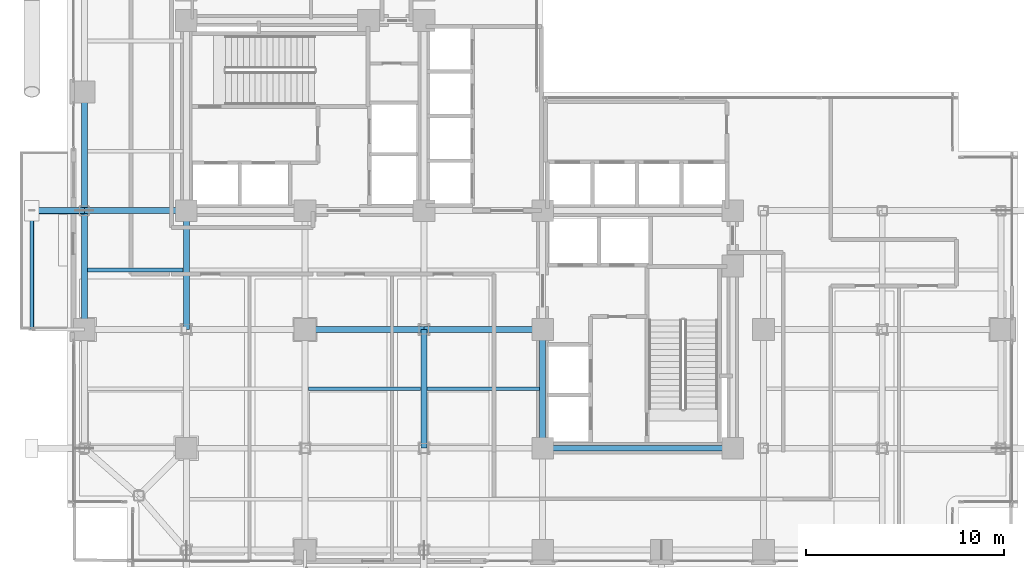
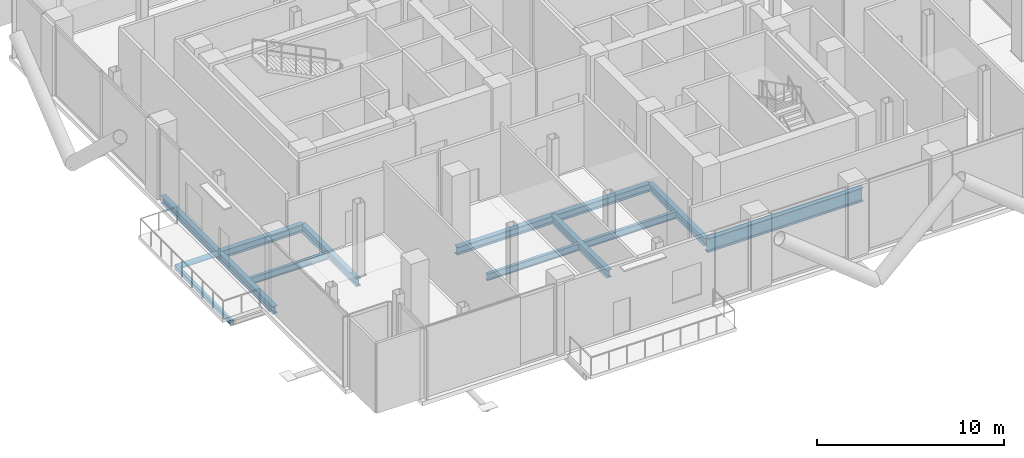
# One storey, part 4 of 25: 13 beams, 1 member.
"""IFC4 building model written with IfcOpenShell, lengths in metres."""

from ifc_helpers import new_model, si_unit, direction, frame, origin, origin_2d, place, context, subcontext, project, spatial, hollow_rectangle, hollow_circle, i_section, extrude, material, material_profile, profile_set, type_object, element, save


model = new_model("IFC4")

# Units and contexts
model_context = context("Model", 3, precision=1e-05, world=origin(), true_north=direction((0.0, 1.0)))
body_context = subcontext(model_context, "Body", "Model", "MODEL_VIEW")
ifc_project = project(units=[si_unit("LENGTHUNIT", "METRE"), si_unit("AREAUNIT", "SQUARE_METRE"), si_unit("VOLUMEUNIT", "CUBIC_METRE"), si_unit("PLANEANGLEUNIT", "RADIAN"), si_unit("MASSUNIT", "GRAM", prefix="KILO"), si_unit("THERMODYNAMICTEMPERATUREUNIT", "KELVIN"), si_unit("POWERUNIT", "WATT")], contexts=[model_context])

# Site, building, storey
site_placement = place(None, origin())
site = spatial("IfcSite", under=ifc_project, at=site_placement, CompositionType="ELEMENT")
building_placement = place(site_placement, origin())
building = spatial("IfcBuilding", under=site, at=building_placement, Name="Svarakhadi Broadcast Tower", CompositionType="ELEMENT")
storey_placement = place(building_placement, frame((0.0, 0.0, 110.85009765625)))
storey = spatial("IfcBuildingStorey", under=building, at=storey_placement, Name="L26", CompositionType="ELEMENT", Elevation=110.85009765625)

# Beams
ifc_material_1 = material(Name="Steel S355J2 (IS 2062 E350C)", Category="steel")
ifc_material_profile_1 = material_profile(ifc_material_1, i_section(OverallWidth=0.18994140625, OverallDepth=0.449951171875, WebThickness=0.009521484375, FlangeThickness=0.0146484375, FilletRadius=0.02099609375, at=origin_2d()), Name="NPB 450x190x78")
ifc_profile_set_1 = profile_set([ifc_material_profile_1], Name="Steel S355J2 (IS 2062 E350C)")
beam_type_1 = type_object("IfcBeamType", Name="Beam_NPB450", PredefinedType="BEAM", material=ifc_profile_set_1)
beam_1_placement = place(storey_placement, frame((1.010009765625, 15.0, -0.5), z_axis=(1.0, 0.0, 0.0), x_axis=(0.0, 1.0, 0.0)))
element("IfcBeam", 1, at=beam_1_placement, inside=storey, type_object=beam_type_1, Name="L26 Secondary Composite Beam SB002", PredefinedType="BEAM", context=body_context, shape_type="SweptSolid", body=[
    extrude(i_section(OverallWidth=0.18994140625, OverallDepth=0.449951171875, WebThickness=0.009521484375, FlangeThickness=0.0146484375, FilletRadius=0.02099609375, at=origin_2d()), origin(), (0.0, 0.0, 1.0), 4.830078125),
])
for number, where, z_axis, x_axis, name in (
    (2, (12.159912109375, 9.0, -0.5), (1.0, 0.0, 0.0), (0.0, 1.0, 0.0), "L26 Secondary Composite Beam SB012"),
    (3, (18.159912109375, 9.0, -0.5), (1.0, 0.0, 0.0), (0.0, 1.0, 0.0), "L26 Secondary Composite Beam SB017"),
):
    element("IfcBeam", number, at=place(storey_placement, frame(where, z_axis=z_axis, x_axis=x_axis)), inside=storey, type_object=beam_type_1, Name=name, PredefinedType="BEAM", context=body_context, shape_type="SweptSolid", body=[
        extrude(i_section(OverallWidth=0.18994140625, OverallDepth=0.449951171875, WebThickness=0.009521484375, FlangeThickness=0.0146484375, FilletRadius=0.02099609375, at=origin_2d()), origin(), (0.0, 0.0, 1.0), 5.68017578125),
    ])

# Member
ifc_material_2 = material(Name="Steel S460ML (IS 2062 E450BR)", Category="steel")
ifc_material_profile_2 = material_profile(ifc_material_2, hollow_circle(Radius=0.161865234375, WallThickness=0.01611328125, at=origin_2d()), Name="CHS 323.9x16")
ifc_profile_set_2 = profile_set([ifc_material_profile_2], Name="Steel S460ML (IS 2062 E450BR)")
member_type = type_object("IfcMemberType", Name="Exo_Radial_Strut_Z2", PredefinedType="STRUT", material=ifc_profile_set_2)
member_placement = place(storey_placement, frame((-1.800048828125, 18.0, -0.43701171875), z_axis=(1.0, 0.0, 0.0), x_axis=(0.0, 1.0, 0.0)))
element("IfcMember", 4, at=member_placement, inside=storey, type_object=member_type, Name="L26 Exoskeleton Radial Tie Strut W06", PredefinedType="STRUT", context=body_context, shape_type="SweptSolid", body=[
    extrude(hollow_circle(Radius=0.161865234375, WallThickness=0.01611328125, at=origin_2d()), origin(), (0.0, 0.0, 1.0), 2.650146484375),
])

# Beams
ifc_material_profile_3 = material_profile(ifc_material_1, i_section(OverallWidth=0.300048828125, OverallDepth=0.5, WebThickness=0.014404296875, FlangeThickness=0.028076171875, FilletRadius=0.027099609375, at=origin_2d()), Name="WPB 500x300x187")
ifc_profile_set_3 = profile_set([ifc_material_profile_3], Name="Steel S355J2 (IS 2062 E350C)")
beam_type_2 = type_object("IfcBeamType", Name="Girder_WPB500", PredefinedType="USERDEFINED", material=ifc_profile_set_3)
for number, where, z_axis, x_axis, name in (
    (5, (12.0, 12.0, -0.525146484375), (1.0, 0.0, 0.0), (0.0, 1.0, 0.0), "L26 Primary E-W Girder G019"),
    (6, (18.0, 12.0, -0.525146484375), (1.0, 0.0, 0.0), (0.0, 1.0, 0.0), "L26 Primary E-W Girder G020"),
):
    element("IfcBeam", number, at=place(storey_placement, frame(where, z_axis=z_axis, x_axis=x_axis)), inside=storey, type_object=beam_type_2, Name=name, ObjectType="GIRDER", PredefinedType="USERDEFINED", context=body_context, shape_type="SweptSolid", body=[
        extrude(i_section(OverallWidth=0.300048828125, OverallDepth=0.5, WebThickness=0.014404296875, FlangeThickness=0.028076171875, FilletRadius=0.027099609375, at=origin_2d()), origin(), (0.0, 0.0, 1.0), 6.0),
    ])
beam_2_placement = place(storey_placement, frame((0.85009765625, 18.0, -0.525146484375), z_axis=(1.0, 0.0, 0.0), x_axis=(0.0, 1.0, 0.0)))
element("IfcBeam", 7, at=beam_2_placement, inside=storey, type_object=beam_type_2, Name="L26 Primary E-W Girder G023", ObjectType="GIRDER", PredefinedType="USERDEFINED", context=body_context, shape_type="SweptSolid", body=[
    extrude(i_section(OverallWidth=0.300048828125, OverallDepth=0.5, WebThickness=0.014404296875, FlangeThickness=0.028076171875, FilletRadius=0.027099609375, at=origin_2d()), origin(), (0.0, 0.0, 1.0), 5.14990234375),
])
for number, where, z_axis, x_axis, name in (
    (8, (0.85009765625, 12.0, -0.525146484375), (0.0, 1.0, 0.0), (-1.0, 0.0, 0.0), "L26 Primary N-S Girder G041"),
    (9, (0.85009765625, 18.0, -0.525146484375), (0.0, 1.0, 0.0), (-1.0, 0.0, 0.0), "L26 Primary N-S Girder G042"),
    (10, (6.0, 12.0, -0.525146484375), (0.0, 1.0, 0.0), (-1.0, 0.0, 0.0), "L26 Primary N-S Girder G047"),
    (11, (18.0, 6.0, -0.525146484375), (0.0, 1.0, 0.0), (-1.0, 0.0, 0.0), "L26 Primary N-S Girder G057"),
    (12, (24.0, 6.0, -0.525146484375), (0.0, 1.0, 0.0), (-1.0, 0.0, 0.0), "L26 Primary N-S Girder G063"),
):
    element("IfcBeam", number, at=place(storey_placement, frame(where, z_axis=z_axis, x_axis=x_axis)), inside=storey, type_object=beam_type_2, Name=name, ObjectType="GIRDER", PredefinedType="USERDEFINED", context=body_context, shape_type="SweptSolid", body=[
        extrude(i_section(OverallWidth=0.300048828125, OverallDepth=0.5, WebThickness=0.014404296875, FlangeThickness=0.028076171875, FilletRadius=0.027099609375, at=origin_2d()), origin(), (0.0, 0.0, 1.0), 6.0),
    ])
ifc_material_profile_4 = material_profile(ifc_material_2, i_section(OverallWidth=0.300048828125, OverallDepth=0.89990234375, WebThickness=0.0185546875, FlangeThickness=0.034912109375, FilletRadius=0.030029296875, at=origin_2d()), Name="WPB 900x300x291")
ifc_profile_set_4 = profile_set([ifc_material_profile_4], Name="Steel S460ML (IS 2062 E450BR)")
beam_type_3 = type_object("IfcBeamType", Name="Girder_WPB900", PredefinedType="USERDEFINED", material=ifc_profile_set_4)
beam_3_placement = place(storey_placement, frame((24.0, 6.0, -0.72509765625), z_axis=(1.0, 0.0, 0.0), x_axis=(0.0, 1.0, 0.0)))
element("IfcBeam", 13, at=beam_3_placement, inside=storey, type_object=beam_type_3, Name="L26 Primary E-W Girder G014", ObjectType="GIRDER", PredefinedType="USERDEFINED", context=body_context, shape_type="SweptSolid", body=[
    extrude(i_section(OverallWidth=0.300048828125, OverallDepth=0.89990234375, WebThickness=0.0185546875, FlangeThickness=0.034912109375, FilletRadius=0.030029296875, at=origin_2d()), origin(), (0.0, 0.0, 1.0), 9.60009765625),
])
ifc_material_profile_5 = material_profile(ifc_material_2, hollow_rectangle(XDim=0.199951171875, YDim=0.300048828125, WallThickness=0.012451171875, InnerFilletRadius=0.012451171875, OuterFilletRadius=0.02490234375, at=origin_2d()), Name="RHS 300x200x12.5")
ifc_profile_set_5 = profile_set([ifc_material_profile_5], Name="Steel S460ML (IS 2062 E450BR)")
beam_type_4 = type_object("IfcBeamType", Name="Spandrel_RHS300", PredefinedType="SPANDREL", material=ifc_profile_set_5)
beam_4_placement = place(storey_placement, frame((-1.800048828125, 12.0, -0.425048828125), z_axis=(0.0, 1.0, 0.0), x_axis=(-1.0, 0.0, 0.0)))
element("IfcBeam", 14, at=beam_4_placement, inside=storey, type_object=beam_type_4, Name="L26 Balcony Outer Spandrel 2F", PredefinedType="SPANDREL", context=body_context, shape_type="SweptSolid", body=[
    extrude(hollow_rectangle(XDim=0.199951171875, YDim=0.300048828125, WallThickness=0.012451171875, InnerFilletRadius=0.012451171875, OuterFilletRadius=0.02490234375, at=origin_2d()), origin(), (0.0, 0.0, 1.0), 6.0),
])

save(model, "model.ifc")
